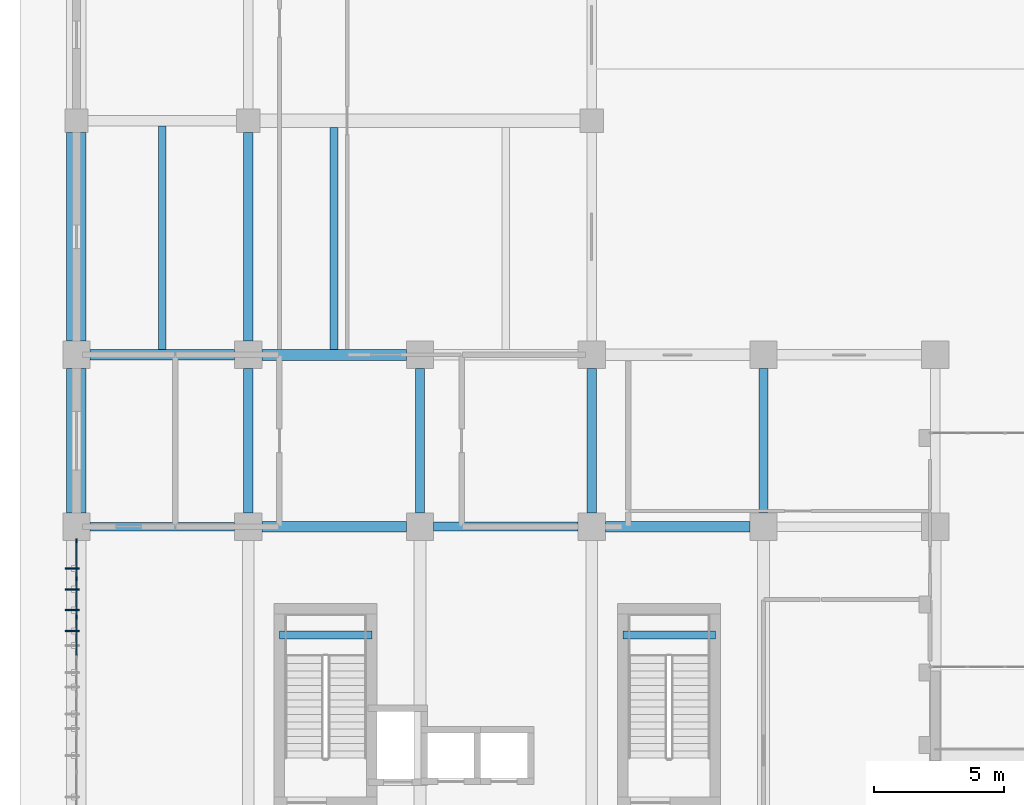
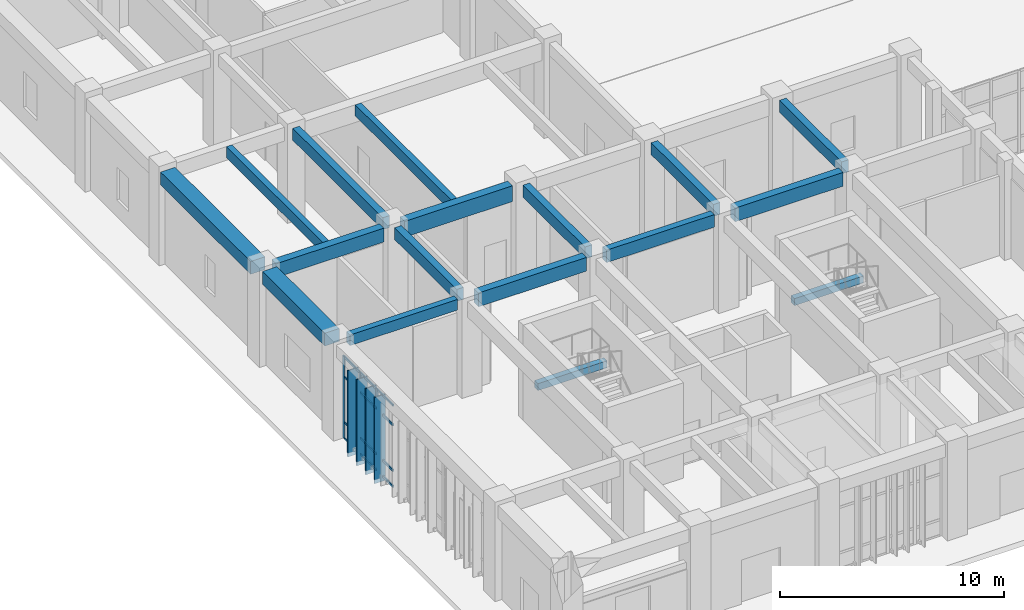
# One storey, part 7 of 70: 19 members, 17 beams, 1 element without a shape of its own.
"""IFC4 building model written with IfcOpenShell, lengths in metres."""

from ifc_helpers import new_model, si_unit, direction, frame, origin, origin_2d, place, context, subcontext, project, spatial, rectangle, extrude, material, layer, layer_set, material_profile, profile_set, type_object, element, aggregate, save


model = new_model("IFC4")

# Units and contexts
model_context = context("Model", 3, precision=1e-05, world=origin(), true_north=direction((0.0, 1.0)))
body_context = subcontext(model_context, "Body", "Model", "MODEL_VIEW")
ifc_project = project(units=[si_unit("LENGTHUNIT", "METRE"), si_unit("AREAUNIT", "SQUARE_METRE"), si_unit("VOLUMEUNIT", "CUBIC_METRE"), si_unit("PLANEANGLEUNIT", "RADIAN"), si_unit("MASSUNIT", "GRAM", prefix="KILO")], contexts=[model_context])

# Site, building, storey
site_placement = place(None, origin())
site = spatial("IfcSite", under=ifc_project, at=site_placement, CompositionType="ELEMENT")
building_placement = place(site_placement, origin())
building = spatial("IfcBuilding", under=site, at=building_placement, Name="Miralva Faculty of Natural Sciences", CompositionType="ELEMENT")
storey_placement = place(building_placement, origin())
storey = spatial("IfcBuildingStorey", under=building, at=storey_placement, Name="L00", CompositionType="ELEMENT", Elevation=0.0)

# Beams
ifc_material_1 = material(Name="Concrete C40/50", Category="concrete")
ifc_material_profile_1 = material_profile(ifc_material_1, rectangle(XDim=0.39990234375, YDim=0.75, at=origin_2d()), Name="RC 400x750")
ifc_profile_set_1 = profile_set([ifc_material_profile_1], Name="Concrete C40/50")
beam_type_1 = type_object("IfcBeamType", Name="BM-B03", PredefinedType="BEAM", material=ifc_profile_set_1)
for number, where, z_axis, x_axis, name in (
    (1, (10.125, 23.39990234375, 4.804931640625), (1.0, 0.0, 0.0), (0.0, 1.0, 0.0), "Girder EW L00-24"),
    (2, (23.324951171875, 23.39990234375, 4.804931640625), (1.0, 0.0, 0.0), (0.0, 1.0, 0.0), "Girder EW L00-26"),
    (3, (3.52490234375, 30.0, 4.705078125), (1.0, 0.0, 0.0), (0.0, 1.0, 0.0), "Girder EW L00-32"),
):
    element("IfcBeam", number, at=place(storey_placement, frame(where, z_axis=z_axis, x_axis=x_axis)), inside=storey, type_object=beam_type_1, Name=name, PredefinedType="BEAM", context=body_context, shape_type="SweptSolid", body=[
        extrude(rectangle(XDim=0.39990234375, YDim=0.75, at=origin_2d()), origin(), (0.0, 0.0, 1.0), 5.550048828125),
    ])
ifc_material_profile_2 = material_profile(ifc_material_1, rectangle(XDim=0.35009765625, YDim=0.64990234375, at=origin_2d()), Name="RC 350x650")
ifc_profile_set_2 = profile_set([ifc_material_profile_2], Name="Concrete C40/50")
beam_type_2 = type_object("IfcBeamType", Name="BM-B05", PredefinedType="BEAM", material=ifc_profile_set_2)
beam_1_placement = place(storey_placement, frame((9.60009765625, 23.925048828125, 4.85498046875), z_axis=(0.0, 1.0, 0.0), x_axis=(-1.0, 0.0, 0.0)))
element("IfcBeam", 4, at=beam_1_placement, inside=storey, type_object=beam_type_2, Name="Girder NS L00-126", PredefinedType="BEAM", context=body_context, shape_type="SweptSolid", body=[
    extrude(rectangle(XDim=0.35009765625, YDim=0.64990234375, at=origin_2d()), origin(), (0.0, 0.0, 1.0), 5.550048828125),
])
beam_2_placement = place(storey_placement, frame((9.60009765625, 30.52490234375, 4.7548828125), z_axis=(0.0, 1.0, 0.0), x_axis=(-1.0, 0.0, 0.0)))
element("IfcBeam", 5, at=beam_2_placement, inside=storey, type_object=beam_type_2, Name="Girder NS L00-127", PredefinedType="BEAM", context=body_context, shape_type="SweptSolid", body=[
    extrude(rectangle(XDim=0.35009765625, YDim=0.64990234375, at=origin_2d()), origin(), (0.0, 0.0, 1.0), 8.025146484375),
])
for number, where, z_axis, x_axis, name in (
    (6, (16.199951171875, 23.925048828125, 4.85498046875), (0.0, 1.0, 0.0), (-1.0, 0.0, 0.0), "Girder NS L00-139"),
    (7, (22.800048828125, 23.925048828125, 4.85498046875), (0.0, 1.0, 0.0), (-1.0, 0.0, 0.0), "Girder NS L00-142"),
    (8, (29.39990234375, 23.925048828125, 4.85498046875), (0.0, 1.0, 0.0), (-1.0, 0.0, 0.0), "Girder NS L00-155"),
):
    element("IfcBeam", number, at=place(storey_placement, frame(where, z_axis=z_axis, x_axis=x_axis)), inside=storey, type_object=beam_type_2, Name=name, PredefinedType="BEAM", context=body_context, shape_type="SweptSolid", body=[
        extrude(rectangle(XDim=0.35009765625, YDim=0.64990234375, at=origin_2d()), origin(), (0.0, 0.0, 1.0), 5.550048828125),
    ])
ifc_material_profile_3 = material_profile(ifc_material_1, rectangle(XDim=0.320068359375, YDim=0.580078125, at=origin_2d()), Name="RC 320x580")
ifc_profile_set_3 = profile_set([ifc_material_profile_3], Name="Concrete C40/50")
beam_type_3 = type_object("IfcBeamType", Name="BM-BG02", PredefinedType="BEAM", material=ifc_profile_set_3)
beam_3_placement = place(storey_placement, frame((3.52490234375, 23.39990234375, 4.889892578125), z_axis=(1.0, 0.0, 0.0), x_axis=(0.0, 1.0, 0.0)))
element("IfcBeam", 9, at=beam_3_placement, inside=storey, type_object=beam_type_3, Name="Girder EW L00-23", PredefinedType="BEAM", context=body_context, shape_type="SweptSolid", body=[
    extrude(rectangle(XDim=0.320068359375, YDim=0.580078125, at=origin_2d()), origin(), (0.0, 0.0, 1.0), 5.550048828125),
])
ifc_material_profile_4 = material_profile(ifc_material_1, rectangle(XDim=0.340087890625, YDim=0.679931640625, at=origin_2d()), Name="RC 340x680")
ifc_profile_set_4 = profile_set([ifc_material_profile_4], Name="Concrete C40/50")
beam_type_4 = type_object("IfcBeamType", Name="BM-BG04", PredefinedType="BEAM", material=ifc_profile_set_4)
beam_4_placement = place(storey_placement, frame((16.72509765625, 23.39990234375, 4.840087890625), z_axis=(1.0, 0.0, 0.0), x_axis=(0.0, 1.0, 0.0)))
element("IfcBeam", 10, at=beam_4_placement, inside=storey, type_object=beam_type_4, Name="Girder EW L00-25", PredefinedType="BEAM", context=body_context, shape_type="SweptSolid", body=[
    extrude(rectangle(XDim=0.340087890625, YDim=0.679931640625, at=origin_2d()), origin(), (0.0, 0.0, 1.0), 5.5498046875),
])
ifc_material_profile_5 = material_profile(ifc_material_1, rectangle(XDim=0.419921875, YDim=0.860107421875, at=origin_2d()), Name="RC 420x860")
ifc_profile_set_5 = profile_set([ifc_material_profile_5], Name="Concrete C40/50")
beam_type_5 = type_object("IfcBeamType", Name="BM-BG12", PredefinedType="BEAM", material=ifc_profile_set_5)
beam_5_placement = place(storey_placement, frame((10.125, 30.0, 4.64990234375), z_axis=(1.0, 0.0, 0.0), x_axis=(0.0, 1.0, 0.0)))
element("IfcBeam", 11, at=beam_5_placement, inside=storey, type_object=beam_type_5, Name="Girder EW L00-33", PredefinedType="BEAM", context=body_context, shape_type="SweptSolid", body=[
    extrude(rectangle(XDim=0.419921875, YDim=0.860107421875, at=origin_2d()), origin(), (0.0, 0.0, 1.0), 5.550048828125),
])
ifc_material_profile_6 = material_profile(ifc_material_1, rectangle(XDim=0.300048828125, YDim=0.60009765625, at=origin_2d()), Name="RC 300x600")
ifc_profile_set_6 = profile_set([ifc_material_profile_6], Name="Concrete C40/50")
beam_type_6 = type_object("IfcBeamType", Name="BM-J01", PredefinedType="JOIST", material=ifc_profile_set_6)
beam_6_placement = place(storey_placement, frame((6.300048828125, 30.199951171875, 4.780029296875), z_axis=(0.0, 1.0, 0.0), x_axis=(-1.0, 0.0, 0.0)))
element("IfcBeam", 12, at=beam_6_placement, inside=storey, type_object=beam_type_6, Name="Floor joist L00-6", PredefinedType="JOIST", context=body_context, shape_type="SweptSolid", body=[
    extrude(rectangle(XDim=0.300048828125, YDim=0.60009765625, at=origin_2d()), origin(), (0.0, 0.0, 1.0), 8.60009765625),
])
beam_7_placement = place(storey_placement, frame((12.89990234375, 30.2099609375, 4.780029296875), z_axis=(0.0, 1.0, 0.0), x_axis=(-1.0, 0.0, 0.0)))
element("IfcBeam", 13, at=beam_7_placement, inside=storey, type_object=beam_type_6, Name="Floor joist L00-7", PredefinedType="JOIST", context=body_context, shape_type="SweptSolid", body=[
    extrude(rectangle(XDim=0.300048828125, YDim=0.60009765625, at=origin_2d()), origin(), (0.0, 0.0, 1.0), 8.530029296875),
])
ifc_material_profile_7 = material_profile(ifc_material_1, rectangle(XDim=0.300048828125, YDim=0.3798828125, at=origin_2d()), Name="RC 300x380")
ifc_profile_set_7 = profile_set([ifc_material_profile_7], Name="Concrete C40/50")
beam_type_7 = type_object("IfcBeamType", Name="BM-LND01", PredefinedType="BEAM", material=ifc_profile_set_7)
for number, where, z_axis, x_axis, name in (
    (14, (10.800048828125, 19.235107421875, 2.320068359375), (1.0, 0.0, 0.0), (0.0, 1.0, 0.0), "Stair Core C1 half-landing support beam L00"),
    (15, (24.0, 19.235107421875, 2.320068359375), (1.0, 0.0, 0.0), (0.0, 1.0, 0.0), "Stair Core C1B half-landing support beam L00"),
):
    element("IfcBeam", number, at=place(storey_placement, frame(where, z_axis=z_axis, x_axis=x_axis)), inside=storey, type_object=beam_type_7, Name=name, PredefinedType="BEAM", context=body_context, shape_type="SweptSolid", body=[
        extrude(rectangle(XDim=0.300048828125, YDim=0.3798828125, at=origin_2d()), origin(), (0.0, 0.0, 1.0), 3.550048828125),
    ])
ifc_material_profile_8 = material_profile(ifc_material_1, rectangle(XDim=0.75, YDim=0.699951171875, at=origin_2d()), Name="RC 750x700")
ifc_profile_set_8 = profile_set([ifc_material_profile_8], Name="Concrete C40/50")
beam_type_8 = type_object("IfcBeamType", Name="BM-SP01", PredefinedType="SPANDREL", material=ifc_profile_set_8)
beam_8_placement = place(storey_placement, frame((3.0, 23.925048828125, 4.830078125), z_axis=(0.0, 1.0, 0.0), x_axis=(-1.0, 0.0, 0.0)))
element("IfcBeam", 16, at=beam_8_placement, inside=storey, type_object=beam_type_8, Name="Girder NS L00-113", PredefinedType="SPANDREL", context=body_context, shape_type="SweptSolid", body=[
    extrude(rectangle(XDim=0.75, YDim=0.699951171875, at=origin_2d()), origin(), (0.0, 0.0, 1.0), 5.550048828125),
])
beam_9_placement = place(storey_placement, frame((3.0, 30.52490234375, 4.72998046875), z_axis=(0.0, 1.0, 0.0), x_axis=(-1.0, 0.0, 0.0)))
element("IfcBeam", 17, at=beam_9_placement, inside=storey, type_object=beam_type_8, Name="Girder NS L00-114", PredefinedType="SPANDREL", context=body_context, shape_type="SweptSolid", body=[
    extrude(rectangle(XDim=0.75, YDim=0.699951171875, at=origin_2d()), origin(), (0.0, 0.0, 1.0), 8.025146484375),
])

# Curtain wall, members
ifc_material_2 = material(Name="Laminated solar-control glass", Category="glass")
ifc_layer = layer(ifc_material_2, 0.179931640625, Name="CW-TWR-L00")
ifc_layer_set = layer_set([ifc_layer], Name="Laminated solar-control glass")
curtain_wall_type = type_object("IfcCurtainWallType", Name="CW-TWR-L00", PredefinedType="USERDEFINED", material=ifc_layer_set)
curtain_wall_placement = place(storey_placement, origin())
curtain_wall = element("IfcCurtainWall", 18, at=curtain_wall_placement, inside=storey, type_object=curtain_wall_type, Name="Curtain wall CW-12 L00-213", ObjectType="UNITISED CURTAIN WALL", PredefinedType="USERDEFINED")
ifc_material_3 = material(Name="Anodised aluminium", Category="aluminium")
ifc_material_profile_9 = material_profile(ifc_material_3, rectangle(XDim=0.06494140625, YDim=0.159912109375, at=origin_2d()), Name="MULLION 65x160")
ifc_profile_set_9 = profile_set([ifc_material_profile_9], Name="Anodised aluminium")
member_type_1 = type_object("IfcMemberType", Name="CW-M02", PredefinedType="MULLION", material=ifc_profile_set_9)
member_1_placement = place(storey_placement, frame((3.0, 19.913818359375, 0.0), z_axis=(0.0, 0.0, 1.0), x_axis=(-1.0, 0.0, 0.0)))
member_1 = element("IfcMember", 19, at=member_1_placement, type_object=member_type_1, Name="CW-12 mullion 8", PredefinedType="MULLION", context=body_context, shape_type="SweptSolid", body=[
    extrude(rectangle(XDim=0.06494140625, YDim=0.159912109375, at=origin_2d()), origin(), (0.0, 0.0, 1.0), 4.47509765625),
])
member_2_placement = place(storey_placement, frame((3.0, 21.3994140625, 0.0), z_axis=(0.0, 0.0, 1.0), x_axis=(-1.0, 0.0, 0.0)))
member_2 = element("IfcMember", 20, at=member_2_placement, type_object=member_type_1, Name="CW-12 mullion 9", PredefinedType="MULLION", context=body_context, shape_type="SweptSolid", body=[
    extrude(rectangle(XDim=0.06494140625, YDim=0.159912109375, at=origin_2d()), origin(), (0.0, 0.0, 1.0), 4.47509765625),
])
member_3_placement = place(storey_placement, frame((3.0, 22.8525390625, 0.0), z_axis=(0.0, 0.0, 1.0), x_axis=(-1.0, 0.0, 0.0)))
member_3 = element("IfcMember", 21, at=member_3_placement, type_object=member_type_1, Name="CW-12 mullion 10", PredefinedType="MULLION", context=body_context, shape_type="SweptSolid", body=[
    extrude(rectangle(XDim=0.06494140625, YDim=0.159912109375, at=origin_2d()), origin(), (0.0, 0.0, 1.0), 4.47509765625),
])
ifc_material_profile_10 = material_profile(ifc_material_3, rectangle(XDim=0.06005859375, YDim=0.1201171875, at=origin_2d()), Name="TRANSOM 60x120")
ifc_profile_set_10 = profile_set([ifc_material_profile_10], Name="Anodised aluminium")
member_type_2 = type_object("IfcMemberType", Name="CW-T02", PredefinedType="USERDEFINED", material=ifc_profile_set_10)
member_4_placement = place(storey_placement, frame((3.0, 18.4609375, 0.030029296875), z_axis=(0.0, 1.0, 0.0), x_axis=(-1.0, 0.0, 0.0)))
member_4 = element("IfcMember", 22, at=member_4_placement, type_object=member_type_2, Name="CW-12 transom 7.1", ObjectType="TRANSOM", PredefinedType="USERDEFINED", context=body_context, shape_type="SweptSolid", body=[
    extrude(rectangle(XDim=0.06005859375, YDim=0.1201171875, at=origin_2d()), origin(), (0.0, 0.0, 1.0), 1.42041015625),
])
member_5_placement = place(storey_placement, frame((3.0, 18.4609375, 0.89990234375), z_axis=(0.0, 1.0, 0.0), x_axis=(-1.0, 0.0, 0.0)))
member_5 = element("IfcMember", 23, at=member_5_placement, type_object=member_type_2, Name="CW-12 transom 7.2", ObjectType="TRANSOM", PredefinedType="USERDEFINED", context=body_context, shape_type="SweptSolid", body=[
    extrude(rectangle(XDim=0.06005859375, YDim=0.1201171875, at=origin_2d()), origin(), (0.0, 0.0, 1.0), 1.42041015625),
])
member_6_placement = place(storey_placement, frame((3.0, 18.4609375, 3.375), z_axis=(0.0, 1.0, 0.0), x_axis=(-1.0, 0.0, 0.0)))
member_6 = element("IfcMember", 24, at=member_6_placement, type_object=member_type_2, Name="CW-12 transom 7.3", ObjectType="TRANSOM", PredefinedType="USERDEFINED", context=body_context, shape_type="SweptSolid", body=[
    extrude(rectangle(XDim=0.06005859375, YDim=0.1201171875, at=origin_2d()), origin(), (0.0, 0.0, 1.0), 1.42041015625),
])
member_7_placement = place(storey_placement, frame((3.0, 18.4609375, 4.445068359375), z_axis=(0.0, 1.0, 0.0), x_axis=(-1.0, 0.0, 0.0)))
member_7 = element("IfcMember", 25, at=member_7_placement, type_object=member_type_2, Name="CW-12 transom 7.4", ObjectType="TRANSOM", PredefinedType="USERDEFINED", context=body_context, shape_type="SweptSolid", body=[
    extrude(rectangle(XDim=0.06005859375, YDim=0.1201171875, at=origin_2d()), origin(), (0.0, 0.0, 1.0), 1.42041015625),
])
member_8_placement = place(storey_placement, frame((3.0, 19.9462890625, 0.030029296875), z_axis=(0.0, 1.0, 0.0), x_axis=(-1.0, 0.0, 0.0)))
member_8 = element("IfcMember", 26, at=member_8_placement, type_object=member_type_2, Name="CW-12 transom 8.1", ObjectType="TRANSOM", PredefinedType="USERDEFINED", context=body_context, shape_type="SweptSolid", body=[
    extrude(rectangle(XDim=0.06005859375, YDim=0.1201171875, at=origin_2d()), origin(), (0.0, 0.0, 1.0), 1.420654296875),
])
member_9_placement = place(storey_placement, frame((3.0, 19.9462890625, 0.89990234375), z_axis=(0.0, 1.0, 0.0), x_axis=(-1.0, 0.0, 0.0)))
member_9 = element("IfcMember", 27, at=member_9_placement, type_object=member_type_2, Name="CW-12 transom 8.2", ObjectType="TRANSOM", PredefinedType="USERDEFINED", context=body_context, shape_type="SweptSolid", body=[
    extrude(rectangle(XDim=0.06005859375, YDim=0.1201171875, at=origin_2d()), origin(), (0.0, 0.0, 1.0), 1.420654296875),
])
member_10_placement = place(storey_placement, frame((3.0, 19.9462890625, 3.375), z_axis=(0.0, 1.0, 0.0), x_axis=(-1.0, 0.0, 0.0)))
member_10 = element("IfcMember", 28, at=member_10_placement, type_object=member_type_2, Name="CW-12 transom 8.3", ObjectType="TRANSOM", PredefinedType="USERDEFINED", context=body_context, shape_type="SweptSolid", body=[
    extrude(rectangle(XDim=0.06005859375, YDim=0.1201171875, at=origin_2d()), origin(), (0.0, 0.0, 1.0), 1.420654296875),
])
member_11_placement = place(storey_placement, frame((3.0, 19.9462890625, 4.445068359375), z_axis=(0.0, 1.0, 0.0), x_axis=(-1.0, 0.0, 0.0)))
member_11 = element("IfcMember", 29, at=member_11_placement, type_object=member_type_2, Name="CW-12 transom 8.4", ObjectType="TRANSOM", PredefinedType="USERDEFINED", context=body_context, shape_type="SweptSolid", body=[
    extrude(rectangle(XDim=0.06005859375, YDim=0.1201171875, at=origin_2d()), origin(), (0.0, 0.0, 1.0), 1.420654296875),
])
member_12_placement = place(storey_placement, frame((3.0, 21.431884765625, 0.030029296875), z_axis=(0.0, 1.0, 0.0), x_axis=(-1.0, 0.0, 0.0)))
member_12 = element("IfcMember", 30, at=member_12_placement, type_object=member_type_2, Name="CW-12 transom 9.1", ObjectType="TRANSOM", PredefinedType="USERDEFINED", context=body_context, shape_type="SweptSolid", body=[
    extrude(rectangle(XDim=0.06005859375, YDim=0.1201171875, at=origin_2d()), origin(), (0.0, 0.0, 1.0), 1.38818359375),
])
member_13_placement = place(storey_placement, frame((3.0, 21.431884765625, 0.89990234375), z_axis=(0.0, 1.0, 0.0), x_axis=(-1.0, 0.0, 0.0)))
member_13 = element("IfcMember", 31, at=member_13_placement, type_object=member_type_2, Name="CW-12 transom 9.2", ObjectType="TRANSOM", PredefinedType="USERDEFINED", context=body_context, shape_type="SweptSolid", body=[
    extrude(rectangle(XDim=0.06005859375, YDim=0.1201171875, at=origin_2d()), origin(), (0.0, 0.0, 1.0), 1.38818359375),
])
member_14_placement = place(storey_placement, frame((3.0, 21.431884765625, 3.375), z_axis=(0.0, 1.0, 0.0), x_axis=(-1.0, 0.0, 0.0)))
member_14 = element("IfcMember", 32, at=member_14_placement, type_object=member_type_2, Name="CW-12 transom 9.3", ObjectType="TRANSOM", PredefinedType="USERDEFINED", context=body_context, shape_type="SweptSolid", body=[
    extrude(rectangle(XDim=0.06005859375, YDim=0.1201171875, at=origin_2d()), origin(), (0.0, 0.0, 1.0), 1.38818359375),
])
member_15_placement = place(storey_placement, frame((3.0, 21.431884765625, 4.445068359375), z_axis=(0.0, 1.0, 0.0), x_axis=(-1.0, 0.0, 0.0)))
member_15 = element("IfcMember", 33, at=member_15_placement, type_object=member_type_2, Name="CW-12 transom 9.4", ObjectType="TRANSOM", PredefinedType="USERDEFINED", context=body_context, shape_type="SweptSolid", body=[
    extrude(rectangle(XDim=0.06005859375, YDim=0.1201171875, at=origin_2d()), origin(), (0.0, 0.0, 1.0), 1.38818359375),
])
aggregate(curtain_wall, [member_1, member_2, member_3, member_4, member_5, member_6, member_7, member_8, member_9, member_10, member_11, member_12, member_13, member_14, member_15])

# Members
ifc_material_profile_11 = material_profile(ifc_material_3, rectangle(XDim=0.06494140625, YDim=0.550048828125, at=origin_2d()), Name="FIN 550x65")
ifc_profile_set_11 = profile_set([ifc_material_profile_11], Name="Anodised aluminium")
member_type_3 = type_object("IfcMemberType", Name="MEM-SF03", PredefinedType="USERDEFINED", material=ifc_profile_set_11)
for number, where, z_axis, x_axis, name in (
    (34, (2.840087890625, 19.39208984375, -0.219970703125), (0.0, 0.0, 1.0), (0.0, -1.0, 0.0), "Solar shading fin SF-03 L00-185"),
    (35, (2.840087890625, 20.18994140625, -0.219970703125), (0.0, 0.0, 1.0), (0.0, -1.0, 0.0), "Solar shading fin SF-03 L00-186"),
    (36, (2.840087890625, 20.988037109375, -0.219970703125), (0.0, 0.0, 1.0), (0.0, -1.0, 0.0), "Solar shading fin SF-03 L00-187"),
    (37, (2.840087890625, 21.785888671875, -0.219970703125), (0.0, 0.0, 1.0), (0.0, -1.0, 0.0), "Solar shading fin SF-03 L00-188"),
):
    element("IfcMember", number, at=place(storey_placement, frame(where, z_axis=z_axis, x_axis=x_axis)), inside=storey, type_object=member_type_3, Name=name, ObjectType="SUNSHADE", PredefinedType="USERDEFINED", context=body_context, shape_type="SweptSolid", body=[
        extrude(rectangle(XDim=0.06494140625, YDim=0.550048828125, at=origin_2d()), origin(), (0.0, 0.0, 1.0), 4.695068359375),
    ])

save(model, "model.ifc")
